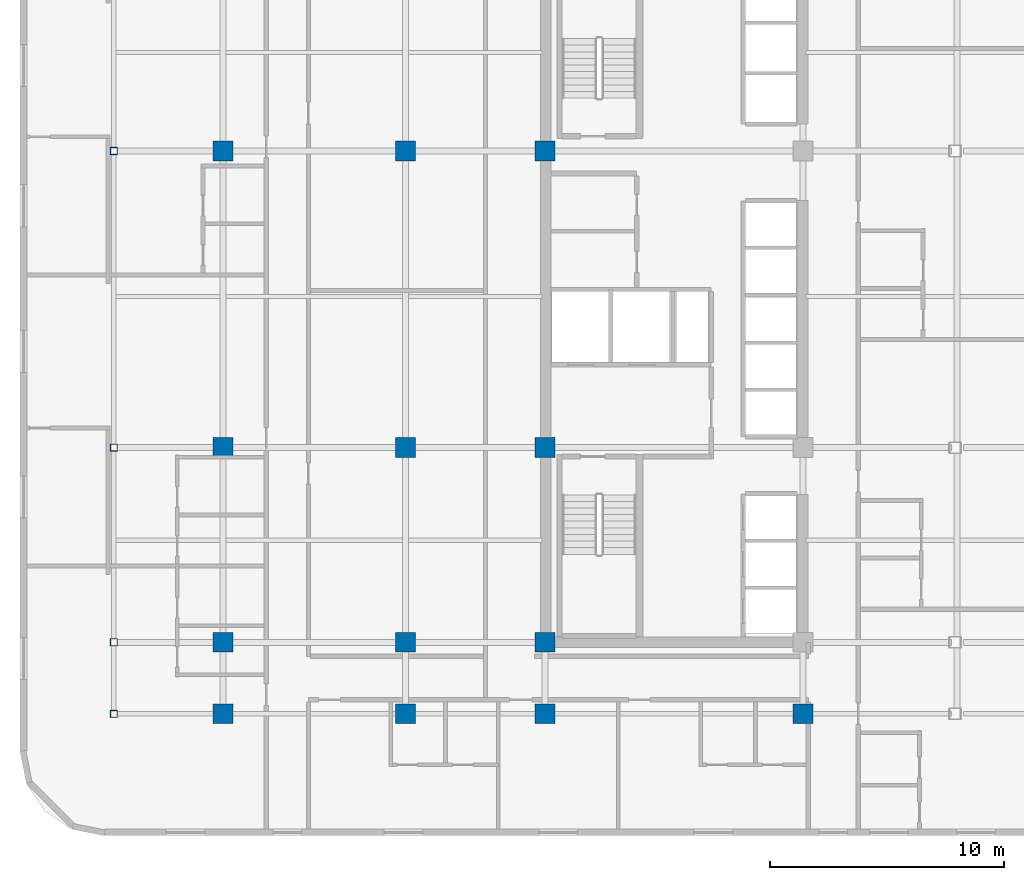
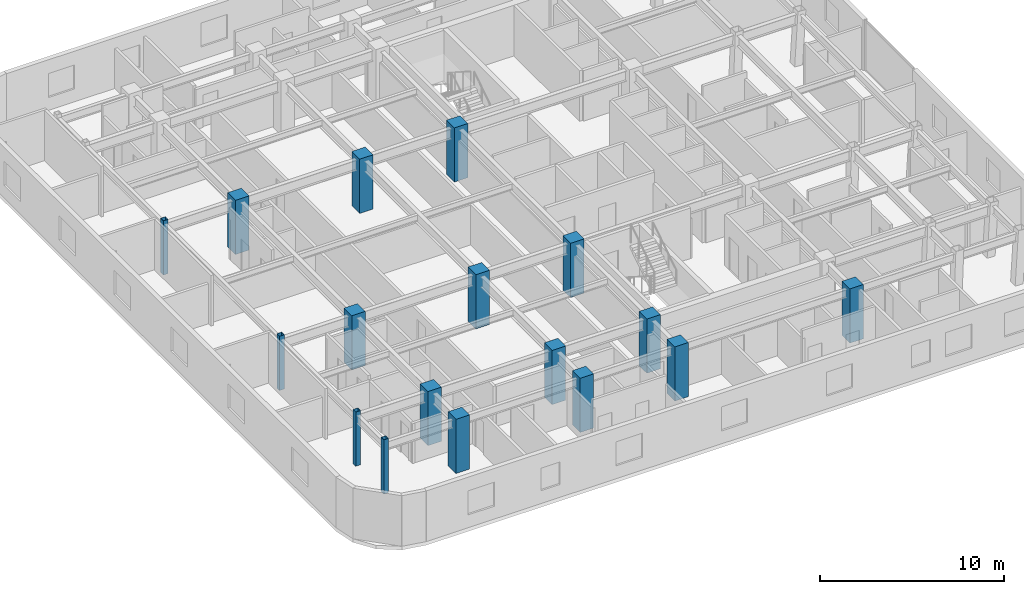
# One storey, part 1 of 13: 17 columns.
"""IFC4 building model written with IfcOpenShell, lengths in metres."""

from ifc_helpers import new_model, si_unit, direction, frame, origin, origin_2d, place, context, subcontext, project, spatial, rectangle, hollow_rectangle, extrude, material, material_profile, profile_set, type_object, element, save


model = new_model("IFC4")

# Units and contexts
model_context = context("Model", 3, precision=1e-05, world=origin(), true_north=direction((0.0, 1.0)))
body_context = subcontext(model_context, "Body", "Model", "MODEL_VIEW")
ifc_project = project(units=[si_unit("LENGTHUNIT", "METRE"), si_unit("AREAUNIT", "SQUARE_METRE"), si_unit("VOLUMEUNIT", "CUBIC_METRE"), si_unit("PLANEANGLEUNIT", "RADIAN"), si_unit("MASSUNIT", "GRAM", prefix="KILO")], contexts=[model_context])

# Site, building, storey
site_placement = place(None, origin())
site = spatial("IfcSite", under=ifc_project, at=site_placement, CompositionType="ELEMENT")
building_placement = place(site_placement, origin())
building = spatial("IfcBuilding", under=site, at=building_placement, Name="Ochreholt Gables", CompositionType="ELEMENT")
storey_placement = place(building_placement, frame((0.0, 0.0, 49.199951171875)))
storey = spatial("IfcBuildingStorey", under=building, at=storey_placement, Name="L12", CompositionType="ELEMENT", Elevation=49.199951171875)

# Columns
ifc_material_1 = material(Name="Steel CSA G40.21 350W", Category="steel")
ifc_material_profile_1 = material_profile(ifc_material_1, hollow_rectangle(XDim=0.304931640625, YDim=0.304931640625, WallThickness=0.0126953125, at=origin_2d()), Name="HSS305X305X13")
ifc_profile_set_1 = profile_set([ifc_material_profile_1], Name="Steel CSA G40.21 350W")
column_type_1 = type_object("IfcColumnType", Name="COL-HSS305-EXT", PredefinedType="COLUMN", material=ifc_profile_set_1)
for number, where, z_axis, x_axis, name in (
    (1, (5.800048828125, 6.199951171875, 0.0), (0.0, 0.0, 1.0), (1.0, 0.0, 0.0), "L12 Column WTY1"),
    (2, (5.800048828125, 9.25, 0.0), (0.0, 0.0, 1.0), (1.0, 0.0, 0.0), "L12 Column WTY2"),
    (3, (5.800048828125, 17.550048828125, 0.0), (0.0, 0.0, 1.0), (1.0, 0.0, 0.0), "L12 Column WTY3"),
    (4, (5.800048828125, 30.199951171875, 0.0), (0.0, 0.0, 1.0), (1.0, 0.0, 0.0), "L12 Column WTY4"),
):
    element("IfcColumn", number, at=place(storey_placement, frame(where, z_axis=z_axis, x_axis=x_axis)), inside=storey, type_object=column_type_1, Name=name, PredefinedType="COLUMN", context=body_context, shape_type="SweptSolid", body=[
        extrude(hollow_rectangle(XDim=0.304931640625, YDim=0.304931640625, WallThickness=0.0126953125, at=origin_2d()), origin(), (0.0, 0.0, 1.0), 3.60009765625),
    ])
ifc_material_2 = material(Name="Concrete 60 MPa", Category="concrete")
ifc_material_profile_2 = material_profile(ifc_material_2, rectangle(XDim=0.85009765625, YDim=0.85009765625, at=origin_2d()), Name="RC850X850")
ifc_profile_set_2 = profile_set([ifc_material_profile_2], Name="Concrete 60 MPa")
column_type_2 = type_object("IfcColumnType", Name="COL-RC850-EXT", PredefinedType="COLUMN", material=ifc_profile_set_2)
for number, where, z_axis, x_axis, name in (
    (5, (10.449951171875, 6.199951171875, 0.0), (0.0, 0.0, 1.0), (1.0, 0.0, 0.0), "L12 Column W2Y1"),
    (6, (18.25, 6.199951171875, 0.0), (0.0, 0.0, 1.0), (1.0, 0.0, 0.0), "L12 Column W3Y1"),
    (7, (24.199951171875, 6.199951171875, 0.0), (0.0, 0.0, 1.0), (1.0, 0.0, 0.0), "L12 Column C1Y1"),
    (8, (35.199951171875, 6.199951171875, 0.0), (0.0, 0.0, 1.0), (1.0, 0.0, 0.0), "L12 Column C2Y1"),
):
    element("IfcColumn", number, at=place(storey_placement, frame(where, z_axis=z_axis, x_axis=x_axis)), inside=storey, type_object=column_type_2, Name=name, PredefinedType="COLUMN", context=body_context, shape_type="SweptSolid", body=[
        extrude(rectangle(XDim=0.85009765625, YDim=0.85009765625, at=origin_2d()), origin(), (0.0, 0.0, 1.0), 3.60009765625),
    ])
ifc_material_profile_3 = material_profile(ifc_material_2, rectangle(XDim=0.85009765625, YDim=0.85009765625, at=origin_2d()), Name="RC850X850")
ifc_profile_set_3 = profile_set([ifc_material_profile_3], Name="Concrete 60 MPa")
column_type_3 = type_object("IfcColumnType", Name="COL-RC850-INT", PredefinedType="COLUMN", material=ifc_profile_set_3)
for number, where, z_axis, x_axis, name in (
    (9, (10.449951171875, 9.25, 0.0), (0.0, 0.0, 1.0), (1.0, 0.0, 0.0), "L12 Column W2Y2"),
    (10, (10.449951171875, 17.550048828125, 0.0), (0.0, 0.0, 1.0), (1.0, 0.0, 0.0), "L12 Column W2Y3"),
    (11, (10.449951171875, 30.199951171875, 0.0), (0.0, 0.0, 1.0), (1.0, 0.0, 0.0), "L12 Column W2Y4"),
    (12, (18.25, 9.25, 0.0), (0.0, 0.0, 1.0), (1.0, 0.0, 0.0), "L12 Column W3Y2"),
    (13, (18.25, 17.550048828125, 0.0), (0.0, 0.0, 1.0), (1.0, 0.0, 0.0), "L12 Column W3Y3"),
    (14, (18.25, 30.199951171875, 0.0), (0.0, 0.0, 1.0), (1.0, 0.0, 0.0), "L12 Column W3Y4"),
    (15, (24.199951171875, 9.25, 0.0), (0.0, 0.0, 1.0), (1.0, 0.0, 0.0), "L12 Column C1Y2"),
    (16, (24.199951171875, 17.550048828125, 0.0), (0.0, 0.0, 1.0), (1.0, 0.0, 0.0), "L12 Column C1Y3"),
    (17, (24.199951171875, 30.199951171875, 0.0), (0.0, 0.0, 1.0), (1.0, 0.0, 0.0), "L12 Column C1Y4"),
):
    element("IfcColumn", number, at=place(storey_placement, frame(where, z_axis=z_axis, x_axis=x_axis)), inside=storey, type_object=column_type_3, Name=name, PredefinedType="COLUMN", context=body_context, shape_type="SweptSolid", body=[
        extrude(rectangle(XDim=0.85009765625, YDim=0.85009765625, at=origin_2d()), origin(), (0.0, 0.0, 1.0), 3.60009765625),
    ])

save(model, "model.ifc")
